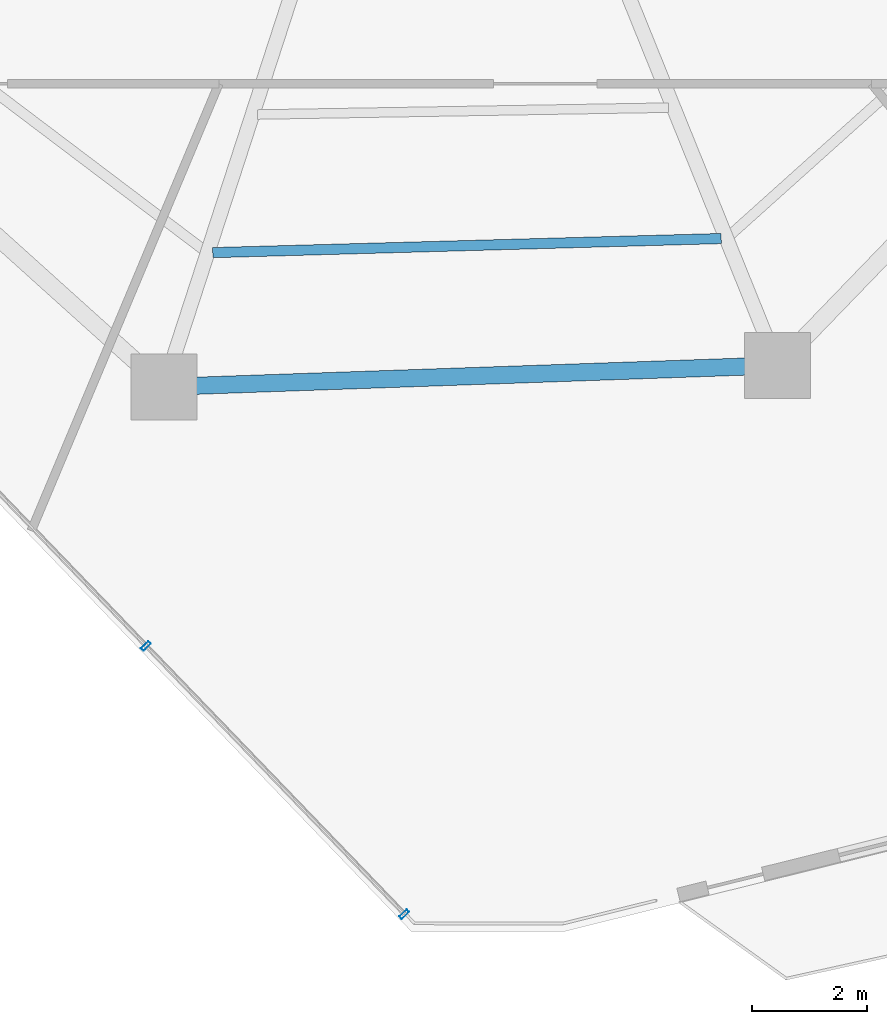
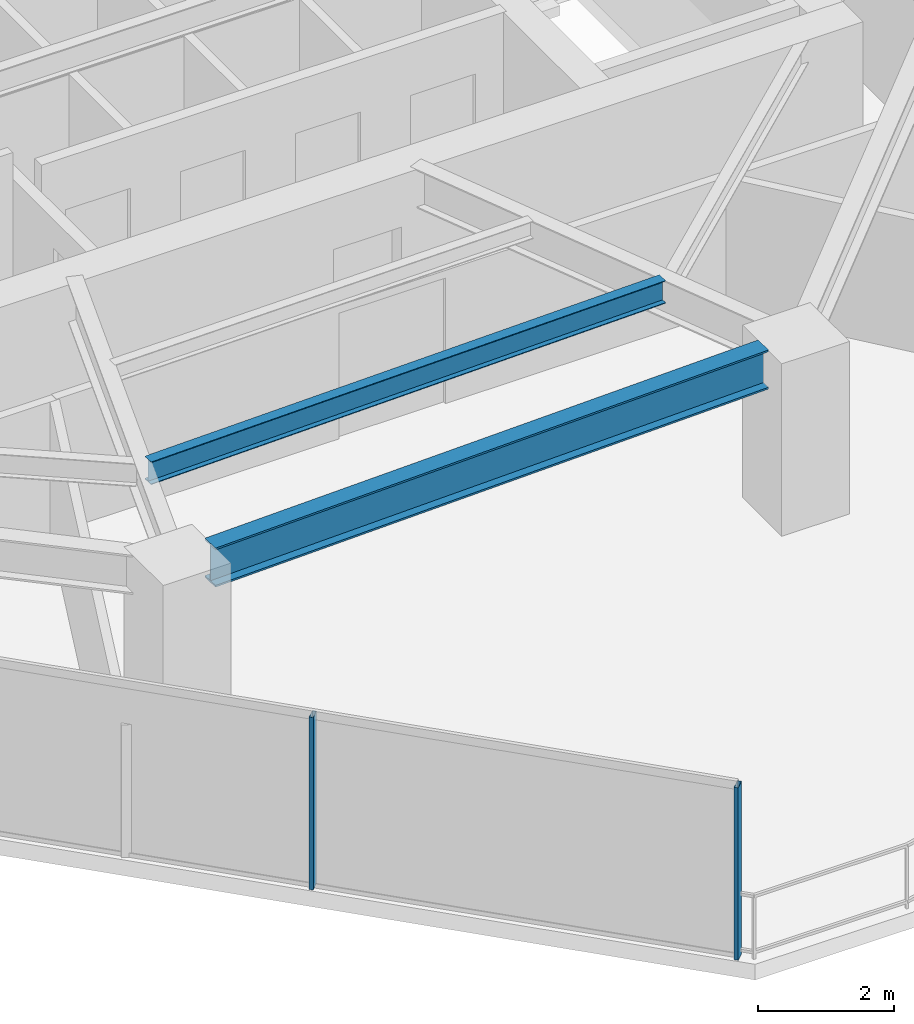
# One storey, part 3 of 23: 2 beams, 2 members, 1 element without a shape of its own.
"""IFC4 building model written with IfcOpenShell, lengths in metres."""

from ifc_helpers import new_model, si_unit, direction, frame, origin, origin_2d, place, context, subcontext, project, spatial, hollow_rectangle, i_section, extrude, material, layer, layer_set, material_profile, profile_set, type_object, element, aggregate, save


model = new_model("IFC4")

# Units and contexts
model_context = context("Model", 3, precision=1e-05, world=origin(), true_north=direction((0.0, 1.0)))
body_context = subcontext(model_context, "Body", "Model", "MODEL_VIEW")
ifc_project = project(units=[si_unit("LENGTHUNIT", "METRE"), si_unit("AREAUNIT", "SQUARE_METRE"), si_unit("VOLUMEUNIT", "CUBIC_METRE"), si_unit("PLANEANGLEUNIT", "RADIAN"), si_unit("MASSUNIT", "GRAM", prefix="KILO")], contexts=[model_context])

# Site, building, storey
site_placement = place(None, origin())
site = spatial("IfcSite", under=ifc_project, at=site_placement, CompositionType="ELEMENT")
building_placement = place(site_placement, origin())
building = spatial("IfcBuilding", under=site, at=building_placement, Name="Qarnah Convention Tower", CompositionType="ELEMENT")
storey_placement = place(building_placement, frame((0.0, 0.0, 117.75)))
storey = spatial("IfcBuildingStorey", under=building, at=storey_placement, Name="L31", CompositionType="ELEMENT", Elevation=117.75)

# Beams
ifc_material_1 = material(Name="Structural steel S355JR", Category="steel")
ifc_material_profile_1 = material_profile(ifc_material_1, i_section(OverallWidth=0.177978515625, OverallDepth=0.407958984375, WebThickness=0.008056640625, FlangeThickness=0.012939453125, at=origin_2d()), Name="W410X60")
ifc_profile_set_1 = profile_set([ifc_material_profile_1], Name="Structural steel S355JR")
beam_type_1 = type_object("IfcBeamType", Name="BM-JST-W410", PredefinedType="JOIST", material=ifc_profile_set_1)
beam_1_placement = place(storey_placement, frame((33.214111328125, 13.85595703125, 2.885986328125), z_axis=(0.999614802667, 0.027753311328, 0.0), x_axis=(-0.027753311328, 0.999614802667, 0.0)))
element("IfcBeam", 1, at=beam_1_placement, inside=storey, type_object=beam_type_1, Name="L31 joist BM-L31-SJST-07", PredefinedType="JOIST", context=body_context, shape_type="SweptSolid", body=[
    extrude(i_section(OverallWidth=0.177978515625, OverallDepth=0.407958984375, WebThickness=0.008056640625, FlangeThickness=0.012939453125, at=origin_2d()), origin(), (0.0, 0.0, 1.0), 8.8671875),
])
ifc_material_profile_2 = material_profile(ifc_material_1, i_section(OverallWidth=0.300048828125, OverallDepth=0.699951171875, WebThickness=0.01708984375, FlangeThickness=0.031982421875, at=origin_2d()), Name="HEB700")
ifc_profile_set_2 = profile_set([ifc_material_profile_2], Name="Structural steel S355JR")
beam_type_2 = type_object("IfcBeamType", Name="BM-RING-HEB700", PredefinedType="BEAM", material=ifc_profile_set_2)
beam_2_placement = place(storey_placement, frame((32.928955078125, 11.535888671875, 2.739990234375), z_axis=(0.999390577592, 0.03490663862, 0.0), x_axis=(-0.03490663862, 0.999390577592, 0.0)))
element("IfcBeam", 2, at=beam_2_placement, inside=storey, type_object=beam_type_2, Name="L31 beam BM-L31-SPN-07", PredefinedType="BEAM", context=body_context, shape_type="SweptSolid", body=[
    extrude(i_section(OverallWidth=0.300048828125, OverallDepth=0.699951171875, WebThickness=0.01708984375, FlangeThickness=0.031982421875, at=origin_2d()), origin(), (0.0, 0.0, 1.0), 9.574951171875),
])

# Curtain wall, members
ifc_material_2 = material(Name="Tempered Low-E dark glass", Category="glass")
ifc_layer = layer(ifc_material_2, 0.169921875)
ifc_layer_set = layer_set([ifc_layer], Name="Tempered Low-E dark glass")
curtain_wall_type = type_object("IfcCurtainWallType", Name="CWS-02", PredefinedType="NOTDEFINED", material=ifc_layer_set)
curtain_wall_placement = place(storey_placement, origin())
curtain_wall = element("IfcCurtainWall", 3, at=curtain_wall_placement, inside=storey, type_object=curtain_wall_type, Name="L31 unitised curtain wall CW-L31-F2", PredefinedType="NOTDEFINED")
ifc_material_3 = material(Name="Black anodised aluminium", Category="aluminium")
ifc_material_profile_3 = material_profile(ifc_material_3, hollow_rectangle(XDim=0.06494140625, YDim=0.179931640625, WallThickness=0.00390625, at=origin_2d()), Name="MUL-65X180")
ifc_profile_set_3 = profile_set([ifc_material_profile_3], Name="Black anodised aluminium")
member_type = type_object("IfcMemberType", Name="MUL-T2", PredefinedType="MULLION", material=ifc_profile_set_3)
member_1_placement = place(storey_placement, frame((36.552001953125, 2.322998046875, 0.0), z_axis=(0.0, 0.0, 1.0), x_axis=(-0.693639313308, 0.720322499324, 0.0)))
member_1 = element("IfcMember", 4, at=member_1_placement, type_object=member_type, Name="CW-L31-F2 mullion 1", PredefinedType="MULLION", context=body_context, shape_type="SweptSolid", body=[
    extrude(hollow_rectangle(XDim=0.06494140625, YDim=0.179931640625, WallThickness=0.00390625, at=origin_2d()), origin(), (0.0, 0.0, 1.0), 3.090087890625),
])
member_2_placement = place(storey_placement, frame((32.049560546875, 6.99853515625, 0.0), z_axis=(0.0, 0.0, 1.0), x_axis=(-0.693639313308, 0.720322499324, 0.0)))
member_2 = element("IfcMember", 5, at=member_2_placement, type_object=member_type, Name="CW-L31-F2 mullion 2", PredefinedType="MULLION", context=body_context, shape_type="SweptSolid", body=[
    extrude(hollow_rectangle(XDim=0.06494140625, YDim=0.179931640625, WallThickness=0.00390625, at=origin_2d()), origin(), (0.0, 0.0, 1.0), 3.090087890625),
])
aggregate(curtain_wall, [member_1, member_2])

save(model, "model.ifc")
